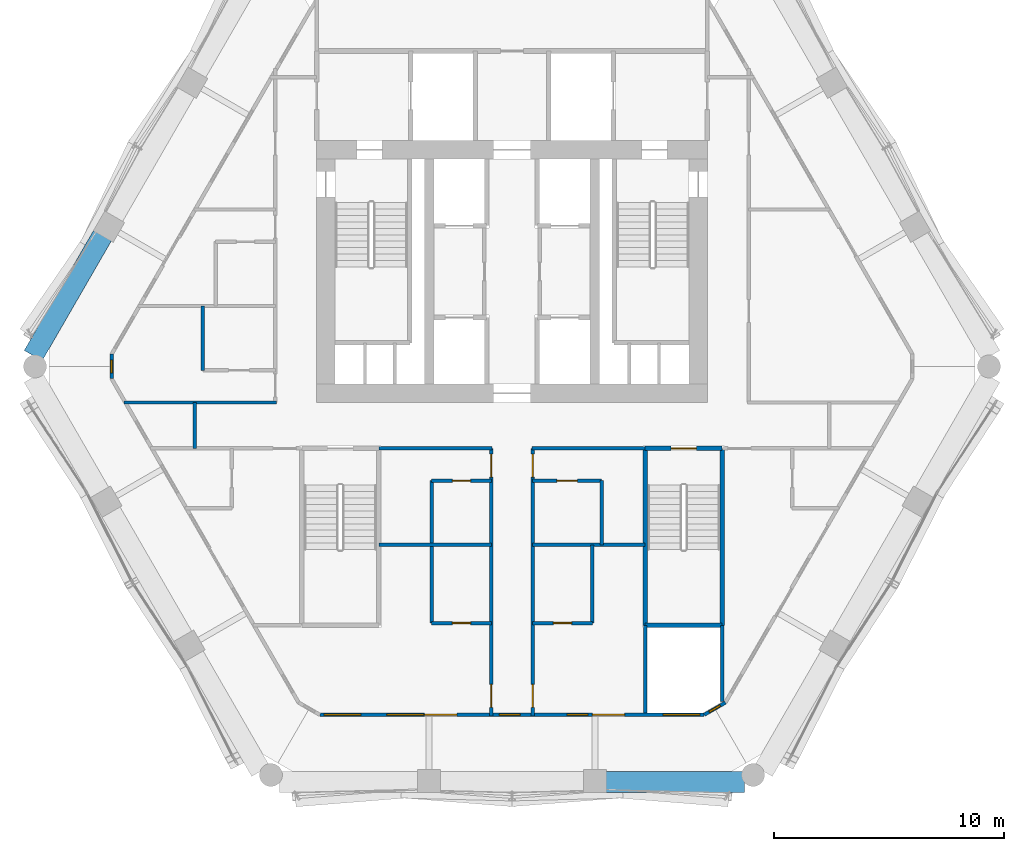
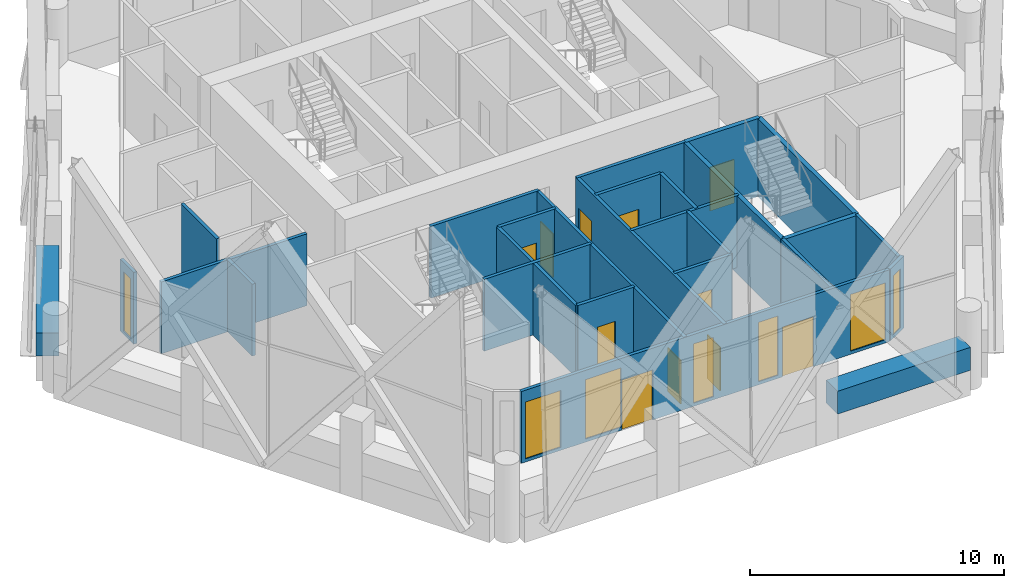
# One storey, part 10 of 19: 27 walls, 11 doors, 7 windows, 18 openings.
"""IFC4 building model written with IfcOpenShell, lengths in metres."""

from ifc_helpers import new_model, si_unit, direction, frame, frame_2d, origin, place, context, subcontext, project, spatial, rectangle, extrude, material, layer, layer_set, type_object, element, fill, save


model = new_model("IFC4")

# Units and contexts
model_context = context("Model", 3, precision=1e-05, world=origin(), true_north=direction((0.0, 1.0)))
body_context = subcontext(model_context, "Body", "Model", "MODEL_VIEW")
ifc_project = project(units=[si_unit("LENGTHUNIT", "METRE"), si_unit("AREAUNIT", "SQUARE_METRE"), si_unit("VOLUMEUNIT", "CUBIC_METRE"), si_unit("PLANEANGLEUNIT", "RADIAN"), si_unit("MASSUNIT", "GRAM", prefix="KILO")], contexts=[model_context])

# Site, building, storey
site_placement = place(None, origin())
site = spatial("IfcSite", under=ifc_project, at=site_placement, CompositionType="ELEMENT")
building_placement = place(site_placement, origin())
building = spatial("IfcBuilding", under=site, at=building_placement, Name="Ostrander Bayou Hotel Tower", CompositionType="ELEMENT")
storey_placement = place(building_placement, frame((0.0, 0.0, 164.5)))
storey = spatial("IfcBuildingStorey", under=building, at=storey_placement, Name="L40", CompositionType="ELEMENT", Elevation=164.5)

# Wall, openings, doors, windows
ifc_material_1 = material(Name="Aluminium framed insulated wall", Category="aluminium")
ifc_layer_1 = layer(ifc_material_1, 0.14990234375)
ifc_layer_set_1 = layer_set([ifc_layer_1], Name="GW1 glass-line wall 150 mm")
wall_type_1 = type_object("IfcWallType", Name="GW1 glass-line wall 150 mm", PredefinedType="SOLIDWALL", material=ifc_layer_set_1)
wall_1_placement = place(storey_placement, frame((-8.3662109375, -15.294189453125, 0.0), z_axis=(0.0, 0.0, 1.0), x_axis=(1.0, 0.0, 0.0)))
wall_1 = element("IfcWall", 1, at=wall_1_placement, inside=storey, type_object=wall_type_1, Name="GW1 L40 S 1", PredefinedType="SOLIDWALL", context=body_context, shape_type="SweptSolid", body=[
    extrude(rectangle(XDim=16.732421875, YDim=0.14990234375, at=frame_2d((8.3662109375, 0.0))), origin(), (0.0, 0.0, 1.0), 3.449951171875),
])
opening_1_placement = place(wall_1_placement, frame((2.916259765625, 0.0, 0.14990234375)))
opening_1 = element("IfcOpeningElement", 2, at=opening_1_placement, cuts=wall_1, Name="Opening W3", PredefinedType="OPENING", context=body_context, shape_type="SweptSolid", body=[
    extrude(rectangle(XDim=1.60009765625, YDim=2.85009765625, at=frame_2d((0.800048828125, 1.425048828125))), frame((0.0, 0.074951171875, 0.0), z_axis=(0.0, -1.0, 0.0), x_axis=(1.0, 0.0, 0.0)), (0.0, 0.0, 1.0), 0.14990234375),
])
opening_2_placement = place(wall_1_placement, frame((4.56640625, 0.0, 0.0)))
opening_2 = element("IfcOpeningElement", 3, at=opening_2_placement, cuts=wall_1, Name="Opening T38-802", PredefinedType="OPENING", context=body_context, shape_type="SweptSolid", body=[
    extrude(rectangle(XDim=1.39990234375, YDim=2.39990234375, at=frame_2d((0.699951171875, 1.199951171875))), frame((0.0, 0.074951171875, 0.0), z_axis=(0.0, -1.0, 0.0), x_axis=(1.0, 0.0, 0.0)), (0.0, 0.0, 1.0), 0.14990234375),
])
opening_3_placement = place(wall_1_placement, frame((7.81640625, 0.0, 0.14990234375)))
opening_3 = element("IfcOpeningElement", 4, at=opening_3_placement, cuts=wall_1, Name="Opening W17", PredefinedType="OPENING", context=body_context, shape_type="SweptSolid", body=[
    extrude(rectangle(XDim=0.89990234375, YDim=2.85009765625, at=frame_2d((0.449951171875, 1.425048828125))), frame((0.0, 0.074951171875, 0.0), z_axis=(0.0, -1.0, 0.0), x_axis=(1.0, 0.0, 0.0)), (0.0, 0.0, 1.0), 0.14990234375),
])
opening_4_placement = place(wall_1_placement, frame((10.766357421875, 0.0, 0.14990234375)))
opening_4 = element("IfcOpeningElement", 5, at=opening_4_placement, cuts=wall_1, Name="Opening W17", PredefinedType="OPENING", context=body_context, shape_type="SweptSolid", body=[
    extrude(rectangle(XDim=0.89990234375, YDim=2.85009765625, at=frame_2d((0.449951171875, 1.425048828125))), frame((0.0, 0.074951171875, 0.0), z_axis=(0.0, -1.0, 0.0), x_axis=(1.0, 0.0, 0.0)), (0.0, 0.0, 1.0), 0.14990234375),
])
opening_5_placement = place(wall_1_placement, frame((11.8662109375, 0.0, 0.0)))
opening_5 = element("IfcOpeningElement", 6, at=opening_5_placement, cuts=wall_1, Name="Opening T38-803", PredefinedType="OPENING", context=body_context, shape_type="SweptSolid", body=[
    extrude(rectangle(XDim=1.39990234375, YDim=2.39990234375, at=frame_2d((0.699951171875, 1.199951171875))), frame((0.0, 0.074951171875, 0.0), z_axis=(0.0, -1.0, 0.0), x_axis=(1.0, 0.0, 0.0)), (0.0, 0.0, 1.0), 0.14990234375),
])
opening_6_placement = place(wall_1_placement, frame((0.18310546875, 0.0, 0.14990234375)))
opening_6 = element("IfcOpeningElement", 7, at=opening_6_placement, cuts=wall_1, Name="Opening W3", PredefinedType="OPENING", context=body_context, shape_type="SweptSolid", body=[
    extrude(rectangle(XDim=1.60009765625, YDim=2.72998046875, at=frame_2d((0.800048828125, 1.364990234375))), frame((0.0, 0.074951171875, 0.0), z_axis=(0.0, -1.0, 0.0), x_axis=(1.0, 0.0, 0.0)), (0.0, 0.0, 1.0), 0.14990234375),
])
opening_7_placement = place(wall_1_placement, frame((14.949462890625, 0.0, 0.14990234375)))
opening_7 = element("IfcOpeningElement", 8, at=opening_7_placement, cuts=wall_1, Name="Opening W3", PredefinedType="OPENING", context=body_context, shape_type="SweptSolid", body=[
    extrude(rectangle(XDim=1.60009765625, YDim=2.72998046875, at=frame_2d((0.800048828125, 1.364990234375))), frame((0.0, 0.074951171875, 0.0), z_axis=(0.0, -1.0, 0.0), x_axis=(1.0, 0.0, 0.0)), (0.0, 0.0, 1.0), 0.14990234375),
])
ifc_material_2 = material(Name="Aluminium and clear glass", Category="aluminium")
door_type_1 = type_object("IfcDoorType", Name="SD3 sliding glass door 1400 mm, zone 3", OperationType="SLIDING_TO_LEFT", PredefinedType="DOOR", material=ifc_material_2)
door_1_placement = place(opening_2_placement, origin())
door_1 = element("IfcDoor", 9, at=door_1_placement, inside=storey, type_object=door_type_1, Name="SD3 L40 S 1", OperationType="SLIDING_TO_LEFT", OverallHeight=2.39990234375, OverallWidth=1.39990234375, PredefinedType="DOOR", context=body_context, shape_type="SweptSolid", body=[
    extrude(rectangle(XDim=1.39990234375, YDim=2.39990234375, at=frame_2d((0.699951171875, 1.199951171875))), frame((0.0, 0.02490234375, 0.0), z_axis=(0.0, -1.0, 0.0), x_axis=(1.0, 0.0, 0.0)), (0.0, 0.0, 1.0), 0.050048828125),
])
fill(opening_2, door_1)
door_2_placement = place(opening_5_placement, origin())
door_2 = element("IfcDoor", 10, at=door_2_placement, inside=storey, type_object=door_type_1, Name="SD3 L40 S 3", OperationType="SLIDING_TO_LEFT", OverallHeight=2.39990234375, OverallWidth=1.39990234375, PredefinedType="DOOR", context=body_context, shape_type="SweptSolid", body=[
    extrude(rectangle(XDim=1.39990234375, YDim=2.39990234375, at=frame_2d((0.699951171875, 1.199951171875))), frame((0.0, 0.02490234375, 0.0), z_axis=(0.0, -1.0, 0.0), x_axis=(1.0, 0.0, 0.0)), (0.0, 0.0, 1.0), 0.050048828125),
])
fill(opening_5, door_2)
ifc_material_3 = material(Name="Aluminium and clear glass", Category="aluminium")
window_type_1 = type_object("IfcWindowType", Name="W17 window 900 mm, zone 3", PartitioningType="SINGLE_PANEL", PredefinedType="WINDOW", material=ifc_material_3)
window_1_placement = place(opening_3_placement, origin())
window_1 = element("IfcWindow", 11, at=window_1_placement, inside=storey, type_object=window_type_1, Name="W17 L40 S 2", OverallHeight=2.85009765625, OverallWidth=0.89990234375, PartitioningType="SINGLE_PANEL", PredefinedType="WINDOW", context=body_context, shape_type="SweptSolid", body=[
    extrude(rectangle(XDim=0.89990234375, YDim=2.85009765625, at=frame_2d((0.449951171875, 1.425048828125))), frame((0.0, 0.030029296875, 0.0), z_axis=(0.0, -1.0, 0.0), x_axis=(1.0, 0.0, 0.0)), (0.0, 0.0, 1.0), 0.06005859375),
])
fill(opening_3, window_1)
window_2_placement = place(opening_4_placement, origin())
window_2 = element("IfcWindow", 12, at=window_2_placement, inside=storey, type_object=window_type_1, Name="W17 L40 S 3", OverallHeight=2.85009765625, OverallWidth=0.89990234375, PartitioningType="SINGLE_PANEL", PredefinedType="WINDOW", context=body_context, shape_type="SweptSolid", body=[
    extrude(rectangle(XDim=0.89990234375, YDim=2.85009765625, at=frame_2d((0.449951171875, 1.425048828125))), frame((0.0, 0.030029296875, 0.0), z_axis=(0.0, -1.0, 0.0), x_axis=(1.0, 0.0, 0.0)), (0.0, 0.0, 1.0), 0.06005859375),
])
fill(opening_4, window_2)
ifc_material_4 = material(Name="Aluminium and clear glass", Category="aluminium")
window_type_2 = type_object("IfcWindowType", Name="W3 fixed window 1600 mm, zone 3", PartitioningType="SINGLE_PANEL", PredefinedType="WINDOW", material=ifc_material_4)
window_3_placement = place(opening_1_placement, origin())
window_3 = element("IfcWindow", 13, at=window_3_placement, inside=storey, type_object=window_type_2, Name="W3 L40 S 1", OverallHeight=2.85009765625, OverallWidth=1.60009765625, PartitioningType="SINGLE_PANEL", PredefinedType="WINDOW", context=body_context, shape_type="SweptSolid", body=[
    extrude(rectangle(XDim=1.60009765625, YDim=2.85009765625, at=frame_2d((0.800048828125, 1.425048828125))), frame((0.0, 0.030029296875, 0.0), z_axis=(0.0, -1.0, 0.0), x_axis=(1.0, 0.0, 0.0)), (0.0, 0.0, 1.0), 0.06005859375),
])
fill(opening_1, window_3)
window_4_placement = place(opening_6_placement, origin())
window_4 = element("IfcWindow", 14, at=window_4_placement, inside=storey, type_object=window_type_2, Name="W3 L40 S E11", OverallHeight=2.72998046875, OverallWidth=1.60009765625, PartitioningType="SINGLE_PANEL", PredefinedType="WINDOW", context=body_context, shape_type="SweptSolid", body=[
    extrude(rectangle(XDim=1.60009765625, YDim=2.72998046875, at=frame_2d((0.800048828125, 1.364990234375))), frame((0.0, 0.030029296875, 0.0), z_axis=(0.0, -1.0, 0.0), x_axis=(1.0, 0.0, 0.0)), (0.0, 0.0, 1.0), 0.06005859375),
])
fill(opening_6, window_4)
window_5_placement = place(opening_7_placement, origin())
window_5 = element("IfcWindow", 15, at=window_5_placement, inside=storey, type_object=window_type_2, Name="W3 L40 S E21", OverallHeight=2.72998046875, OverallWidth=1.60009765625, PartitioningType="SINGLE_PANEL", PredefinedType="WINDOW", context=body_context, shape_type="SweptSolid", body=[
    extrude(rectangle(XDim=1.60009765625, YDim=2.72998046875, at=frame_2d((0.800048828125, 1.364990234375))), frame((0.0, 0.030029296875, 0.0), z_axis=(0.0, -1.0, 0.0), x_axis=(1.0, 0.0, 0.0)), (0.0, 0.0, 1.0), 0.06005859375),
])
fill(opening_7, window_5)

# Wall, opening, window
wall_2_placement = place(storey_placement, frame((-17.42822265625, 0.401611328125, 0.0), z_axis=(0.0, 0.0, 1.0), x_axis=(0.0, -1.0, 0.0)))
wall_2 = element("IfcWall", 16, at=wall_2_placement, inside=storey, type_object=wall_type_1, Name="GW1 L40 corner 2", PredefinedType="SOLIDWALL", context=body_context, shape_type="SweptSolid", body=[
    extrude(rectangle(XDim=1.06494140625, YDim=0.14990234375, at=frame_2d((0.532470703125, 0.0))), origin(), (0.0, 0.0, 1.0), 3.449951171875),
])
opening_8_placement = place(wall_2_placement, frame((0.257568359375, 0.0, 0.14990234375)))
opening_8 = element("IfcOpeningElement", 17, at=opening_8_placement, cuts=wall_2, Name="Opening W19", PredefinedType="OPENING", context=body_context, shape_type="SweptSolid", body=[
    extrude(rectangle(XDim=0.550048828125, YDim=2.85009765625, at=frame_2d((0.27490234375, 1.425048828125))), frame((0.0, 0.074951171875, 0.0), z_axis=(0.0, -1.0, 0.0), x_axis=(1.0, 0.0, 0.0)), (0.0, 0.0, 1.0), 0.14990234375),
])
ifc_material_5 = material(Name="Aluminium and clear glass", Category="aluminium")
window_type_3 = type_object("IfcWindowType", Name="W19 corner window 550 mm", PartitioningType="SINGLE_PANEL", PredefinedType="WINDOW", material=ifc_material_5)
window_6_placement = place(opening_8_placement, origin())
window_6 = element("IfcWindow", 18, at=window_6_placement, inside=storey, type_object=window_type_3, Name="W19 L40 corner 2", OverallHeight=2.85009765625, OverallWidth=0.550048828125, PartitioningType="SINGLE_PANEL", PredefinedType="WINDOW", context=body_context, shape_type="SweptSolid", body=[
    extrude(rectangle(XDim=0.550048828125, YDim=2.85009765625, at=frame_2d((0.27490234375, 1.425048828125))), frame((0.0, 0.030029296875, 0.0), z_axis=(0.0, -1.0, 0.0), x_axis=(1.0, 0.0, 0.0)), (0.0, 0.0, 1.0), 0.06005859375),
])
fill(opening_8, window_6)

wall_3_placement = place(storey_placement, frame((8.3662109375, -15.294189453125, 0.0), z_axis=(0.0, 0.0, 1.0), x_axis=(0.866105447774, 0.499861334108, 0.0)))
wall_3 = element("IfcWall", 19, at=wall_3_placement, inside=storey, type_object=wall_type_1, Name="GW1 L40 corner 4", PredefinedType="SOLIDWALL", context=body_context, shape_type="SweptSolid", body=[
    extrude(rectangle(XDim=1.065185546875, YDim=0.14990234375, at=frame_2d((0.53271484375, 0.0))), origin(), (0.0, 0.0, 1.0), 3.449951171875),
])
opening_9_placement = place(wall_3_placement, frame((0.257568359375, 0.0, 0.14990234375)))
opening_9 = element("IfcOpeningElement", 20, at=opening_9_placement, cuts=wall_3, Name="Opening W19", PredefinedType="OPENING", context=body_context, shape_type="SweptSolid", body=[
    extrude(rectangle(XDim=0.550048828125, YDim=2.85009765625, at=frame_2d((0.27490234375, 1.425048828125))), frame((0.0, 0.074951171875, 0.0), z_axis=(0.0, -1.0, 0.0), x_axis=(1.0, 0.0, 0.0)), (0.0, 0.0, 1.0), 0.14990234375),
])
window_7_placement = place(opening_9_placement, origin())
window_7 = element("IfcWindow", 21, at=window_7_placement, inside=storey, type_object=window_type_3, Name="W19 L40 corner 4", OverallHeight=2.85009765625, OverallWidth=0.550048828125, PartitioningType="SINGLE_PANEL", PredefinedType="WINDOW", context=body_context, shape_type="SweptSolid", body=[
    extrude(rectangle(XDim=0.550048828125, YDim=2.85009765625, at=frame_2d((0.27490234375, 1.425048828125))), frame((0.0, 0.030029296875, 0.0), z_axis=(0.0, -1.0, 0.0), x_axis=(1.0, 0.0, 0.0)), (0.0, 0.0, 1.0), 0.06005859375),
])
fill(opening_9, window_7)

# Walls
ifc_material_6 = material(Name="Concrete f'c 40 MPa", Category="concrete")
ifc_layer_2 = layer(ifc_material_6, 0.89990234375)
ifc_layer_set_2 = layer_set([ifc_layer_2], Name="PA1 stone-faced parapet 900 mm")
wall_type_2 = type_object("IfcWallType", Name="PA1 stone-faced parapet 900 mm", PredefinedType="PARAPET", material=ifc_layer_set_2)
wall_4_placement = place(storey_placement, frame((-17.822265625, 5.569091796875, 0.0), z_axis=(0.0, 0.0, 1.0), x_axis=(-0.500012890865, -0.866017961112, 0.0)))
element("IfcWall", 22, at=wall_4_placement, inside=storey, type_object=wall_type_2, Name="PA1 L40 NW-3", PredefinedType="PARAPET", context=body_context, shape_type="SweptSolid", body=[
    extrude(rectangle(XDim=6.039306640625, YDim=0.89990234375, at=frame_2d((3.01953125, 0.0))), origin(), (0.0, 0.0, 1.0), 1.10009765625),
])
wall_5_placement = place(storey_placement, frame((4.088134765625, -18.218994140625, 0.0), z_axis=(0.0, 0.0, 1.0), x_axis=(1.0, 0.0, 0.0)))
element("IfcWall", 23, at=wall_5_placement, inside=storey, type_object=wall_type_2, Name="PA1 L40 S-3", PredefinedType="PARAPET", context=body_context, shape_type="SweptSolid", body=[
    extrude(rectangle(XDim=6.03955078125, YDim=0.89990234375, at=frame_2d((3.019775390625, 0.0))), origin(), (0.0, 0.0, 1.0), 1.10009765625),
])
ifc_material_7 = material(Name="Gypsum board partition", Category="finish")
ifc_layer_3 = layer(ifc_material_7, 0.14990234375)
ifc_layer_set_3 = layer_set([ifc_layer_3], Name="PT7 riser wall 150 mm, 2 hour")
wall_type_3 = type_object("IfcWallType", Name="PT7 riser wall 150 mm, 2 hour", PredefinedType="PARTITIONING", material=ifc_layer_set_3)
wall_6_placement = place(storey_placement, frame((5.800048828125, -11.39990234375, 0.0), z_axis=(0.0, 0.0, 1.0), x_axis=(0.0, -1.0, 0.0)))
element("IfcWall", 24, at=wall_6_placement, inside=storey, type_object=wall_type_3, Name="cs:L40:021", PredefinedType="PARTITIONING", context=body_context, shape_type="SweptSolid", body=[
    extrude(rectangle(XDim=3.819091796875, YDim=0.14990234375, at=frame_2d((1.90966796875, 0.0))), origin(), (0.0, 0.0, 1.0), 3.449951171875),
])
wall_7_placement = place(storey_placement, frame((9.14990234375, -11.39990234375, 0.0), z_axis=(0.0, 0.0, 1.0), x_axis=(0.0, -1.0, 0.0)))
element("IfcWall", 25, at=wall_7_placement, inside=storey, type_object=wall_type_3, Name="cs:L40:022", PredefinedType="PARTITIONING", context=body_context, shape_type="SweptSolid", body=[
    extrude(rectangle(XDim=3.323486328125, YDim=0.14990234375, at=frame_2d((1.66162109375, 0.0))), origin(), (0.0, 0.0, 1.0), 3.449951171875),
])

# Wall, opening, door
ifc_material_8 = material(Name="Gypsum board partition", Category="finish")
ifc_layer_4 = layer(ifc_material_8, 0.14990234375)
ifc_layer_set_4 = layer_set([ifc_layer_4], Name="PT8 service band wall 150 mm, 1 hour")
wall_type_4 = type_object("IfcWallType", Name="PT8 service band wall 150 mm, 1 hour", PredefinedType="PARTITIONING", material=ifc_layer_set_4)
wall_8_placement = place(storey_placement, frame((-3.5, -11.300048828125, 0.0), z_axis=(0.0, 0.0, 1.0), x_axis=(1.0, 0.0, 0.0)))
wall_8 = element("IfcWall", 26, at=wall_8_placement, inside=storey, type_object=wall_type_4, Name="gw:L40:002", PredefinedType="PARTITIONING", context=body_context, shape_type="SweptSolid", body=[
    extrude(rectangle(XDim=2.60009765625, YDim=0.14990234375, at=frame_2d((1.300048828125, 0.0))), origin(), (0.0, 0.0, 1.0), 3.449951171875),
])
opening_10_placement = place(wall_8_placement, frame((0.89990234375, 0.0, 0.0)))
opening_10 = element("IfcOpeningElement", 27, at=opening_10_placement, cuts=wall_8, Name="Opening T38-405", PredefinedType="OPENING", context=body_context, shape_type="SweptSolid", body=[
    extrude(rectangle(XDim=0.800048828125, YDim=2.10009765625, at=frame_2d((0.39990234375, 1.050048828125))), frame((0.0, 0.074951171875, 0.0), z_axis=(0.0, -1.0, 0.0), x_axis=(1.0, 0.0, 0.0)), (0.0, 0.0, 1.0), 0.14990234375),
])
ifc_material_9 = material(Name="Timber door leaf", Category="wood")
door_type_2 = type_object("IfcDoorType", Name="D2 bathroom door 800 x 2100 mm", OperationType="SINGLE_SWING_LEFT", PredefinedType="DOOR", material=ifc_material_9)
door_3_placement = place(opening_10_placement, origin())
door_3 = element("IfcDoor", 28, at=door_3_placement, inside=storey, type_object=door_type_2, Name="dr:L40:405", OperationType="SINGLE_SWING_RIGHT", OverallHeight=2.10009765625, OverallWidth=0.800048828125, PredefinedType="DOOR", context=body_context, shape_type="SweptSolid", body=[
    extrude(rectangle(XDim=0.800048828125, YDim=2.10009765625, at=frame_2d((0.39990234375, 1.050048828125))), frame((0.0, 0.02490234375, 0.0), z_axis=(0.0, -1.0, 0.0), x_axis=(1.0, 0.0, 0.0)), (0.0, 0.0, 1.0), 0.050048828125),
])
fill(opening_10, door_3)

wall_9_placement = place(storey_placement, frame((0.89990234375, -11.300048828125, 0.0), z_axis=(0.0, 0.0, 1.0), x_axis=(1.0, 0.0, 0.0)))
wall_9 = element("IfcWall", 29, at=wall_9_placement, inside=storey, type_object=wall_type_4, Name="gw:L40:003", PredefinedType="PARTITIONING", context=body_context, shape_type="SweptSolid", body=[
    extrude(rectangle(XDim=2.60009765625, YDim=0.14990234375, at=frame_2d((1.300048828125, 0.0))), origin(), (0.0, 0.0, 1.0), 3.449951171875),
])
opening_11_placement = place(wall_9_placement, frame((0.89990234375, 0.0, 0.0)))
opening_11 = element("IfcOpeningElement", 30, at=opening_11_placement, cuts=wall_9, Name="Opening T38-409", PredefinedType="OPENING", context=body_context, shape_type="SweptSolid", body=[
    extrude(rectangle(XDim=0.800048828125, YDim=2.10009765625, at=frame_2d((0.39990234375, 1.050048828125))), frame((0.0, 0.074951171875, 0.0), z_axis=(0.0, -1.0, 0.0), x_axis=(1.0, 0.0, 0.0)), (0.0, 0.0, 1.0), 0.14990234375),
])
door_4_placement = place(opening_11_placement, origin())
door_4 = element("IfcDoor", 31, at=door_4_placement, inside=storey, type_object=door_type_2, Name="dr:L40:409", OperationType="SINGLE_SWING_LEFT", OverallHeight=2.10009765625, OverallWidth=0.800048828125, PredefinedType="DOOR", context=body_context, shape_type="SweptSolid", body=[
    extrude(rectangle(XDim=0.800048828125, YDim=2.10009765625, at=frame_2d((0.39990234375, 1.050048828125))), frame((0.0, 0.02490234375, 0.0), z_axis=(0.0, -1.0, 0.0), x_axis=(1.0, 0.0, 0.0)), (0.0, 0.0, 1.0), 0.050048828125),
])
fill(opening_11, door_4)

# Walls
for number, where, z_axis, x_axis, name in (
    (32, (-5.7900390625, -7.89990234375, 0.0), (0.0, 0.0, 1.0), (1.0, 0.0, 0.0), "gw:L40:004"),
    (33, (0.89990234375, -7.89990234375, 0.0), (0.0, 0.0, 1.0), (1.0, 0.0, 0.0), "gw:L40:005"),
):
    element("IfcWall", number, at=place(storey_placement, frame(where, z_axis=z_axis, x_axis=x_axis)), inside=storey, type_object=wall_type_4, Name=name, PredefinedType="PARTITIONING", context=body_context, shape_type="SweptSolid", body=[
        extrude(rectangle(XDim=4.89013671875, YDim=0.14990234375, at=frame_2d((2.445068359375, 0.0))), origin(), (0.0, 0.0, 1.0), 3.449951171875),
    ])

# Wall, opening, door
wall_10_placement = place(storey_placement, frame((-3.5, -5.10009765625, 0.0), z_axis=(0.0, 0.0, 1.0), x_axis=(1.0, 0.0, 0.0)))
wall_10 = element("IfcWall", 34, at=wall_10_placement, inside=storey, type_object=wall_type_4, Name="gw:L40:008", PredefinedType="PARTITIONING", context=body_context, shape_type="SweptSolid", body=[
    extrude(rectangle(XDim=2.60009765625, YDim=0.14990234375, at=frame_2d((1.300048828125, 0.0))), origin(), (0.0, 0.0, 1.0), 3.449951171875),
])
opening_12_placement = place(wall_10_placement, frame((0.89990234375, 0.0, 0.0)))
opening_12 = element("IfcOpeningElement", 35, at=opening_12_placement, cuts=wall_10, Name="Opening T38-403", PredefinedType="OPENING", context=body_context, shape_type="SweptSolid", body=[
    extrude(rectangle(XDim=0.800048828125, YDim=2.10009765625, at=frame_2d((0.39990234375, 1.050048828125))), frame((0.0, 0.074951171875, 0.0), z_axis=(0.0, -1.0, 0.0), x_axis=(1.0, 0.0, 0.0)), (0.0, 0.0, 1.0), 0.14990234375),
])
door_5_placement = place(opening_12_placement, origin())
door_5 = element("IfcDoor", 36, at=door_5_placement, inside=storey, type_object=door_type_2, Name="dr:L40:403", OperationType="SINGLE_SWING_RIGHT", OverallHeight=2.10009765625, OverallWidth=0.800048828125, PredefinedType="DOOR", context=body_context, shape_type="SweptSolid", body=[
    extrude(rectangle(XDim=0.800048828125, YDim=2.10009765625, at=frame_2d((0.39990234375, 1.050048828125))), frame((0.0, 0.02490234375, 0.0), z_axis=(0.0, -1.0, 0.0), x_axis=(1.0, 0.0, 0.0)), (0.0, 0.0, 1.0), 0.050048828125),
])
fill(opening_12, door_5)

wall_11_placement = place(storey_placement, frame((0.89990234375, -5.10009765625, 0.0), z_axis=(0.0, 0.0, 1.0), x_axis=(1.0, 0.0, 0.0)))
wall_11 = element("IfcWall", 37, at=wall_11_placement, inside=storey, type_object=wall_type_4, Name="gw:L40:009", PredefinedType="PARTITIONING", context=body_context, shape_type="SweptSolid", body=[
    extrude(rectangle(XDim=3.0, YDim=0.14990234375, at=frame_2d((1.5, 0.0))), origin(), (0.0, 0.0, 1.0), 3.449951171875),
])
opening_13_placement = place(wall_11_placement, frame((1.050048828125, 0.0, 0.0)))
opening_13 = element("IfcOpeningElement", 38, at=opening_13_placement, cuts=wall_11, Name="Opening T38-407", PredefinedType="OPENING", context=body_context, shape_type="SweptSolid", body=[
    extrude(rectangle(XDim=0.89990234375, YDim=2.10009765625, at=frame_2d((0.449951171875, 1.050048828125))), frame((0.0, 0.074951171875, 0.0), z_axis=(0.0, -1.0, 0.0), x_axis=(1.0, 0.0, 0.0)), (0.0, 0.0, 1.0), 0.14990234375),
])
ifc_material_10 = material(Name="Timber door leaf", Category="wood")
door_type_3 = type_object("IfcDoorType", Name="D14 bathroom door 900 x 2100 mm", OperationType="SINGLE_SWING_LEFT", PredefinedType="DOOR", material=ifc_material_10)
door_6_placement = place(opening_13_placement, origin())
door_6 = element("IfcDoor", 39, at=door_6_placement, inside=storey, type_object=door_type_3, Name="dr:L40:407", OperationType="SINGLE_SWING_LEFT", OverallHeight=2.10009765625, OverallWidth=0.89990234375, PredefinedType="DOOR", context=body_context, shape_type="SweptSolid", body=[
    extrude(rectangle(XDim=0.89990234375, YDim=2.10009765625, at=frame_2d((0.449951171875, 1.050048828125))), frame((0.0, 0.02490234375, 0.0), z_axis=(0.0, -1.0, 0.0), x_axis=(1.0, 0.0, 0.0)), (0.0, 0.0, 1.0), 0.050048828125),
])
fill(opening_13, door_6)

# Walls
for number, where, z_axis, x_axis, name in (
    (40, (-5.7900390625, -3.699951171875, 0.0), (0.0, 0.0, 1.0), (1.0, 0.0, 0.0), "gw:L40:011"),
    (41, (0.860107421875, -3.699951171875, 0.0), (0.0, 0.0, 1.0), (1.0, 0.0, 0.0), "gw:L40:012"),
):
    element("IfcWall", number, at=place(storey_placement, frame(where, z_axis=z_axis, x_axis=x_axis)), inside=storey, type_object=wall_type_4, Name=name, PredefinedType="PARTITIONING", context=body_context, shape_type="SweptSolid", body=[
        extrude(rectangle(XDim=4.929931640625, YDim=0.14990234375, at=frame_2d((2.46484375, 0.0))), origin(), (0.0, 0.0, 1.0), 3.449951171875),
    ])
wall_12_placement = place(storey_placement, frame((-16.882080078125, -1.699951171875, 0.0), z_axis=(0.0, 0.0, 1.0), x_axis=(1.0, 0.0, 0.0)))
element("IfcWall", 42, at=wall_12_placement, inside=storey, type_object=wall_type_4, Name="gw:L40:014", PredefinedType="PARTITIONING", context=body_context, shape_type="SweptSolid", body=[
    extrude(rectangle(XDim=6.6220703125, YDim=0.14990234375, at=frame_2d((3.31103515625, 0.0))), origin(), (0.0, 0.0, 1.0), 3.449951171875),
])
wall_13_placement = place(storey_placement, frame((3.89990234375, -7.89990234375, 0.0), z_axis=(0.0, 0.0, 1.0), x_axis=(0.0, 1.0, 0.0)))
element("IfcWall", 43, at=wall_13_placement, inside=storey, type_object=wall_type_4, Name="gw:L40:029", PredefinedType="PARTITIONING", context=body_context, shape_type="SweptSolid", body=[
    extrude(rectangle(XDim=2.7998046875, YDim=0.14990234375, at=frame_2d((1.39990234375, 0.0))), origin(), (0.0, 0.0, 1.0), 3.449951171875),
])
wall_14_placement = place(storey_placement, frame((3.5, -11.300048828125, 0.0), z_axis=(0.0, 0.0, 1.0), x_axis=(0.0, 1.0, 0.0)))
element("IfcWall", 44, at=wall_14_placement, inside=storey, type_object=wall_type_4, Name="gw:L40:030", PredefinedType="PARTITIONING", context=body_context, shape_type="SweptSolid", body=[
    extrude(rectangle(XDim=3.400146484375, YDim=0.14990234375, at=frame_2d((1.7001953125, 0.0))), origin(), (0.0, 0.0, 1.0), 3.449951171875),
])

# Wall, openings, doors
wall_15_placement = place(storey_placement, frame((0.89990234375, -15.339111328125, 0.0), z_axis=(0.0, 0.0, 1.0), x_axis=(0.0, 1.0, 0.0)))
wall_15 = element("IfcWall", 45, at=wall_15_placement, inside=storey, type_object=wall_type_4, Name="gw:L40:031", PredefinedType="PARTITIONING", context=body_context, shape_type="SweptSolid", body=[
    extrude(rectangle(XDim=11.63916015625, YDim=0.14990234375, at=frame_2d((5.819580078125, 0.0))), origin(), (0.0, 0.0, 1.0), 3.449951171875),
])
opening_14_placement = place(wall_15_placement, frame((10.388916015625, 0.0, 0.0)))
opening_14 = element("IfcOpeningElement", 46, at=opening_14_placement, cuts=wall_15, Name="Opening T38-406", PredefinedType="OPENING", context=body_context, shape_type="SweptSolid", body=[
    extrude(rectangle(XDim=1.0, YDim=2.10009765625, at=frame_2d((0.5, 1.050048828125))), frame((0.0, 0.074951171875, 0.0), z_axis=(0.0, -1.0, 0.0), x_axis=(1.0, 0.0, 0.0)), (0.0, 0.0, 1.0), 0.14990234375),
])
opening_15_placement = place(wall_15_placement, frame((0.368896484375, 0.0, 0.0)))
opening_15 = element("IfcOpeningElement", 47, at=opening_15_placement, cuts=wall_15, Name="Opening T38-408", PredefinedType="OPENING", context=body_context, shape_type="SweptSolid", body=[
    extrude(rectangle(XDim=1.0, YDim=2.10009765625, at=frame_2d((0.5, 1.050048828125))), frame((0.0, 0.074951171875, 0.0), z_axis=(0.0, -1.0, 0.0), x_axis=(1.0, 0.0, 0.0)), (0.0, 0.0, 1.0), 0.14990234375),
])
ifc_material_11 = material(Name="Timber door leaf", Category="wood")
door_type_4 = type_object("IfcDoorType", Name="D1 guest room door 1000 x 2100 mm, 30 minute", OperationType="SINGLE_SWING_LEFT", PredefinedType="DOOR", material=ifc_material_11)
door_7_placement = place(opening_14_placement, origin())
door_7 = element("IfcDoor", 48, at=door_7_placement, inside=storey, type_object=door_type_4, Name="dr:L40:406", OperationType="SINGLE_SWING_RIGHT", OverallHeight=2.10009765625, OverallWidth=1.0, PredefinedType="DOOR", context=body_context, shape_type="SweptSolid", body=[
    extrude(rectangle(XDim=1.0, YDim=2.10009765625, at=frame_2d((0.5, 1.050048828125))), frame((0.0, 0.02490234375, 0.0), z_axis=(0.0, -1.0, 0.0), x_axis=(1.0, 0.0, 0.0)), (0.0, 0.0, 1.0), 0.050048828125),
])
fill(opening_14, door_7)
door_8_placement = place(opening_15_placement, origin())
door_8 = element("IfcDoor", 49, at=door_8_placement, inside=storey, type_object=door_type_4, Name="dr:L40:408", OperationType="SINGLE_SWING_LEFT", OverallHeight=2.10009765625, OverallWidth=1.0, PredefinedType="DOOR", context=body_context, shape_type="SweptSolid", body=[
    extrude(rectangle(XDim=1.0, YDim=2.10009765625, at=frame_2d((0.5, 1.050048828125))), frame((0.0, 0.02490234375, 0.0), z_axis=(0.0, -1.0, 0.0), x_axis=(1.0, 0.0, 0.0)), (0.0, 0.0, 1.0), 0.050048828125),
])
fill(opening_15, door_8)

wall_16_placement = place(storey_placement, frame((-0.89990234375, -15.339111328125, 0.0), z_axis=(0.0, 0.0, 1.0), x_axis=(0.0, 1.0, 0.0)))
wall_16 = element("IfcWall", 50, at=wall_16_placement, inside=storey, type_object=wall_type_4, Name="gw:L40:032", PredefinedType="PARTITIONING", context=body_context, shape_type="SweptSolid", body=[
    extrude(rectangle(XDim=11.63916015625, YDim=0.14990234375, at=frame_2d((5.819580078125, 0.0))), origin(), (0.0, 0.0, 1.0), 3.449951171875),
])
opening_16_placement = place(wall_16_placement, frame((10.388916015625, 0.0, 0.0)))
opening_16 = element("IfcOpeningElement", 51, at=opening_16_placement, cuts=wall_16, Name="Opening T38-402", PredefinedType="OPENING", context=body_context, shape_type="SweptSolid", body=[
    extrude(rectangle(XDim=1.0, YDim=2.10009765625, at=frame_2d((0.5, 1.050048828125))), frame((0.0, 0.074951171875, 0.0), z_axis=(0.0, -1.0, 0.0), x_axis=(1.0, 0.0, 0.0)), (0.0, 0.0, 1.0), 0.14990234375),
])
opening_17_placement = place(wall_16_placement, frame((0.368896484375, 0.0, 0.0)))
opening_17 = element("IfcOpeningElement", 52, at=opening_17_placement, cuts=wall_16, Name="Opening T38-404", PredefinedType="OPENING", context=body_context, shape_type="SweptSolid", body=[
    extrude(rectangle(XDim=1.0, YDim=2.10009765625, at=frame_2d((0.5, 1.050048828125))), frame((0.0, 0.074951171875, 0.0), z_axis=(0.0, -1.0, 0.0), x_axis=(1.0, 0.0, 0.0)), (0.0, 0.0, 1.0), 0.14990234375),
])
door_9_placement = place(opening_16_placement, origin())
door_9 = element("IfcDoor", 53, at=door_9_placement, inside=storey, type_object=door_type_4, Name="dr:L40:402", OperationType="SINGLE_SWING_RIGHT", OverallHeight=2.10009765625, OverallWidth=1.0, PredefinedType="DOOR", context=body_context, shape_type="SweptSolid", body=[
    extrude(rectangle(XDim=1.0, YDim=2.10009765625, at=frame_2d((0.5, 1.050048828125))), frame((0.0, 0.02490234375, 0.0), z_axis=(0.0, -1.0, 0.0), x_axis=(1.0, 0.0, 0.0)), (0.0, 0.0, 1.0), 0.050048828125),
])
fill(opening_16, door_9)
door_10_placement = place(opening_17_placement, origin())
door_10 = element("IfcDoor", 54, at=door_10_placement, inside=storey, type_object=door_type_4, Name="dr:L40:404", OperationType="SINGLE_SWING_LEFT", OverallHeight=2.10009765625, OverallWidth=1.0, PredefinedType="DOOR", context=body_context, shape_type="SweptSolid", body=[
    extrude(rectangle(XDim=1.0, YDim=2.10009765625, at=frame_2d((0.5, 1.050048828125))), frame((0.0, 0.02490234375, 0.0), z_axis=(0.0, -1.0, 0.0), x_axis=(1.0, 0.0, 0.0)), (0.0, 0.0, 1.0), 0.050048828125),
])
fill(opening_17, door_10)

# Walls
wall_17_placement = place(storey_placement, frame((-3.5, -11.300048828125, 0.0), z_axis=(0.0, 0.0, 1.0), x_axis=(0.0, 1.0, 0.0)))
element("IfcWall", 55, at=wall_17_placement, inside=storey, type_object=wall_type_4, Name="gw:L40:033", PredefinedType="PARTITIONING", context=body_context, shape_type="SweptSolid", body=[
    extrude(rectangle(XDim=6.199951171875, YDim=0.14990234375, at=frame_2d((3.10009765625, 0.0))), origin(), (0.0, 0.0, 1.0), 3.449951171875),
])
wall_18_placement = place(storey_placement, frame((-13.4599609375, -0.300048828125, 0.0), z_axis=(0.0, 0.0, 1.0), x_axis=(0.0, 1.0, 0.0)))
element("IfcWall", 56, at=wall_18_placement, inside=storey, type_object=wall_type_4, Name="gw:L40:038", PredefinedType="PARTITIONING", context=body_context, shape_type="SweptSolid", body=[
    extrude(rectangle(XDim=2.800048828125, YDim=0.14990234375, at=frame_2d((1.39990234375, 0.0))), origin(), (0.0, 0.0, 1.0), 3.449951171875),
])
wall_19_placement = place(storey_placement, frame((-13.800048828125, -3.699951171875, 0.0), z_axis=(0.0, 0.0, 1.0), x_axis=(0.0, 1.0, 0.0)))
element("IfcWall", 57, at=wall_19_placement, inside=storey, type_object=wall_type_4, Name="gw:L40:039", PredefinedType="PARTITIONING", context=body_context, shape_type="SweptSolid", body=[
    extrude(rectangle(XDim=2.0, YDim=0.14990234375, at=frame_2d((1.0, 0.0))), origin(), (0.0, 0.0, 1.0), 3.449951171875),
])

# Wall, opening, door
ifc_material_12 = material(Name="Concrete f'c 45 MPa", Category="concrete")
ifc_layer_5 = layer(ifc_material_12, 0.199951171875)
ifc_layer_set_5 = layer_set([ifc_layer_5], Name="SW5 stair enclosure wall 200 mm f'c 45 MPa")
wall_type_5 = type_object("IfcWallType", Name="SW5 stair enclosure wall 200 mm f'c 45 MPa", PredefinedType="SOLIDWALL", material=ifc_layer_set_5)
wall_20_placement = place(storey_placement, frame((5.800048828125, -3.699951171875, -0.300048828125), z_axis=(0.0, 0.0, 1.0), x_axis=(1.0, 0.0, 0.0)))
wall_20 = element("IfcWall", 58, at=wall_20_placement, inside=storey, type_object=wall_type_5, Name="cs:L40:017", PredefinedType="SOLIDWALL", context=body_context, shape_type="SweptSolid", body=[
    extrude(rectangle(XDim=3.349853515625, YDim=0.199951171875, at=frame_2d((1.6748046875, 0.0))), origin(), (0.0, 0.0, 1.0), 3.75),
])
opening_18_placement = place(wall_20_placement, frame((1.125, 0.0, 0.0)))
opening_18 = element("IfcOpeningElement", 59, at=opening_18_placement, cuts=wall_20, Name="Opening T38-011", PredefinedType="OPENING", context=body_context, shape_type="SweptSolid", body=[
    extrude(rectangle(XDim=1.10009765625, YDim=2.10009765625, at=frame_2d((0.550048828125, 1.050048828125))), frame((0.0, 0.10009765625, 0.0), z_axis=(0.0, -1.0, 0.0), x_axis=(1.0, 0.0, 0.0)), (0.0, 0.0, 1.0), 0.199951171875),
])
ifc_material_13 = material(Name="Timber door leaf", Category="wood")
door_type_5 = type_object("IfcDoorType", Name="D5 stair door 1100 x 2100 mm, 90 minute", OperationType="SINGLE_SWING_LEFT", PredefinedType="DOOR", material=ifc_material_13)
door_11_placement = place(opening_18_placement, origin())
door_11 = element("IfcDoor", 60, at=door_11_placement, inside=storey, type_object=door_type_5, Name="dr:L40:011", OperationType="SINGLE_SWING_LEFT", OverallHeight=2.10009765625, OverallWidth=1.10009765625, PredefinedType="DOOR", context=body_context, shape_type="SweptSolid", body=[
    extrude(rectangle(XDim=1.10009765625, YDim=2.10009765625, at=frame_2d((0.550048828125, 1.050048828125))), frame((0.0, 0.02490234375, 0.0), z_axis=(0.0, -1.0, 0.0), x_axis=(1.0, 0.0, 0.0)), (0.0, 0.0, 1.0), 0.050048828125),
])
fill(opening_18, door_11)

# Walls
for number, where, z_axis, x_axis, name in (
    (61, (5.800048828125, -3.699951171875, -0.300048828125), (0.0, 0.0, 1.0), (0.0, -1.0, 0.0), "cs:L40:018"),
    (62, (9.14990234375, -3.699951171875, -0.300048828125), (0.0, 0.0, 1.0), (0.0, -1.0, 0.0), "cs:L40:019"),
):
    element("IfcWall", number, at=place(storey_placement, frame(where, z_axis=z_axis, x_axis=x_axis)), inside=storey, type_object=wall_type_5, Name=name, PredefinedType="SOLIDWALL", context=body_context, shape_type="SweptSolid", body=[
        extrude(rectangle(XDim=7.699951171875, YDim=0.199951171875, at=frame_2d((3.85009765625, 0.0))), origin(), (0.0, 0.0, 1.0), 3.75),
    ])
wall_21_placement = place(storey_placement, frame((5.800048828125, -11.39990234375, -0.300048828125), z_axis=(0.0, 0.0, 1.0), x_axis=(1.0, 0.0, 0.0)))
element("IfcWall", 63, at=wall_21_placement, inside=storey, type_object=wall_type_5, Name="cs:L40:020", PredefinedType="SOLIDWALL", context=body_context, shape_type="SweptSolid", body=[
    extrude(rectangle(XDim=3.349853515625, YDim=0.199951171875, at=frame_2d((1.6748046875, 0.0))), origin(), (0.0, 0.0, 1.0), 3.75),
])

save(model, "model.ifc")
